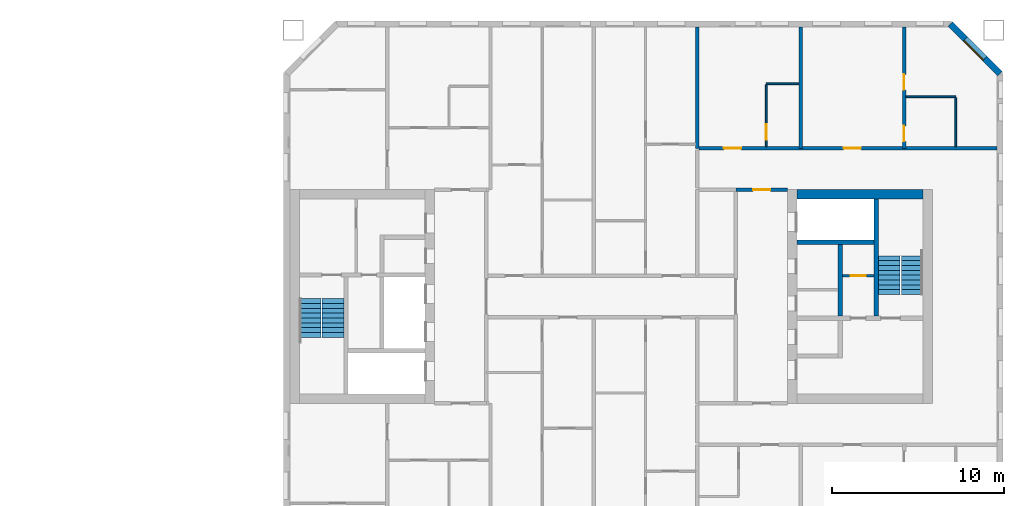
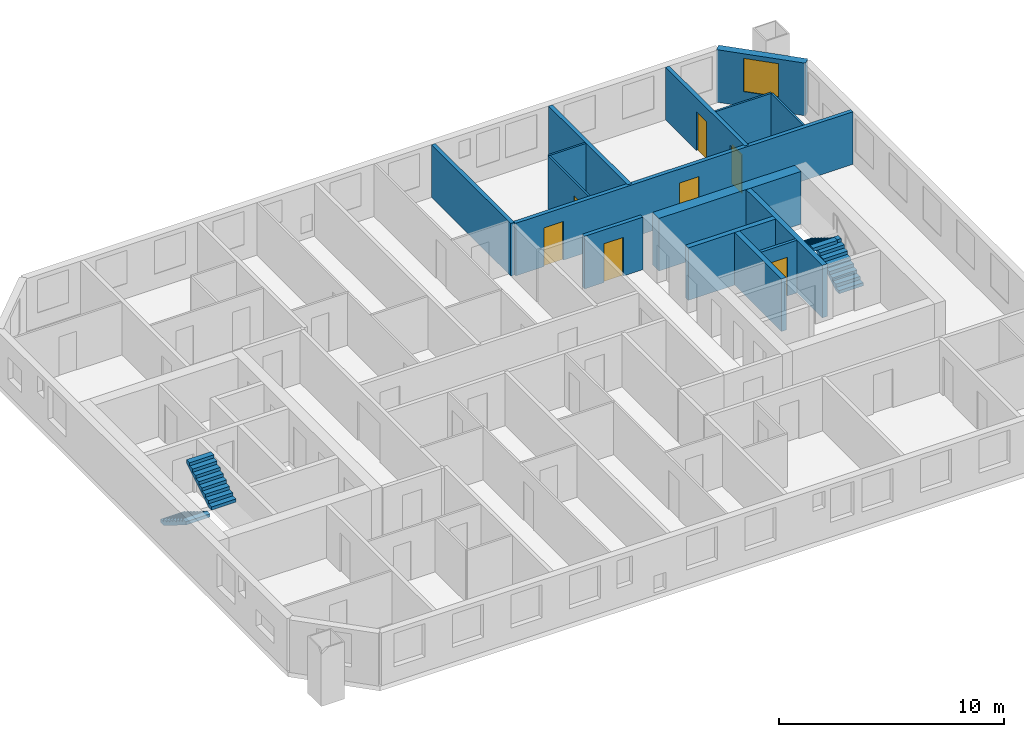
# One storey, part 14 of 16: 15 walls, 7 doors, 4 stair flights, 1 window, 8 openings, 2 elements without a shape of their own.
"""IFC4 building model written with IfcOpenShell, lengths in metres."""

from ifc_helpers import new_model, si_unit, direction, frame, frame_2d, origin, place, context, subcontext, project, spatial, polyline, rectangle, outline, extrude, material, layer, layer_set, type_object, element, fill, aggregate, save


model = new_model("IFC4")

# Units and contexts
model_context = context("Model", 3, precision=1e-05, world=origin(), true_north=direction((0.0, 1.0)))
body_context = subcontext(model_context, "Body", "Model", "MODEL_VIEW")
ifc_project = project(units=[si_unit("LENGTHUNIT", "METRE"), si_unit("AREAUNIT", "SQUARE_METRE"), si_unit("VOLUMEUNIT", "CUBIC_METRE"), si_unit("PLANEANGLEUNIT", "RADIAN"), si_unit("MASSUNIT", "GRAM", prefix="KILO")], contexts=[model_context])

# Site, building, storey
site_placement = place(None, origin())
site = spatial("IfcSite", under=ifc_project, at=site_placement, CompositionType="ELEMENT")
building_placement = place(site_placement, origin())
building = spatial("IfcBuilding", under=site, at=building_placement, Name="Tuart Gate Housing", CompositionType="ELEMENT")
storey_placement = place(building_placement, frame((0.0, 0.0, 136.10009765625)))
storey = spatial("IfcBuildingStorey", under=building, at=storey_placement, Name="L38", CompositionType="ELEMENT", Elevation=136.10009765625)

# Wall, opening, window
ifc_material_1 = material(Name="Brick", Category="masonry")
ifc_layer_1 = layer(ifc_material_1, 0.360107421875)
ifc_layer_set_1 = layer_set([ifc_layer_1], Name="Brick pier and spandrel wall 360")
wall_type_1 = type_object("IfcWallType", Name="Brick pier and spandrel wall 360", PredefinedType="STANDARD", material=ifc_layer_set_1)
wall_1_placement = place(storey_placement, frame((172.570068359375, 82.92529296875, 0.0), z_axis=(0.0, 0.0, 1.0), x_axis=(-0.707106781187, 0.707106781187, 0.0)))
wall_1 = element("IfcWall", 1, at=wall_1_placement, inside=storey, type_object=wall_type_1, Name="External wall B-NE L38", PredefinedType="STANDARD", context=body_context, shape_type="SweptSolid", body=[
    extrude(rectangle(XDim=4.09375, YDim=0.360107421875, at=frame_2d((2.046875, 0.0))), origin(), (0.0, 0.0, 1.0), 2.849853515625),
])
opening_1_placement = place(wall_1_placement, frame((1.2470703125, 0.0, 0.800048828125)))
opening_1 = element("IfcOpeningElement", 2, at=opening_1_placement, cuts=wall_1, Name="Opening W1", PredefinedType="OPENING", context=body_context, shape_type="SweptSolid", body=[
    extrude(rectangle(XDim=1.60009765625, YDim=1.800048828125, at=frame_2d((0.800048828125, 0.89990234375))), frame((0.0, 0.18994140625, 0.0), z_axis=(0.0, -1.0, 0.0), x_axis=(1.0, 0.0, 0.0)), (0.0, 0.0, 1.0), 0.380126953125),
])
ifc_material_2 = material(Name="Aluminium frame with clear glass", Category="aluminium")
window_type = type_object("IfcWindowType", Name="Punched window 1600 x 1800", PartitioningType="SINGLE_PANEL", PredefinedType="WINDOW", material=ifc_material_2)
window_placement = place(opening_1_placement, origin())
window = element("IfcWindow", 3, at=window_placement, inside=storey, type_object=window_type, Name="Window W1", OverallHeight=1.800048828125, OverallWidth=1.60009765625, PartitioningType="SINGLE_PANEL", PredefinedType="WINDOW", context=body_context, shape_type="SweptSolid", body=[
    extrude(rectangle(XDim=1.60009765625, YDim=1.800048828125, at=frame_2d((0.800048828125, 0.89990234375))), frame((0.0, 0.150146484375, 0.0), z_axis=(0.0, -1.0, 0.0), x_axis=(1.0, 0.0, 0.0)), (0.0, 0.0, 1.0), 0.06005859375),
])
fill(opening_1, window)

# Wall, opening, door
ifc_material_3 = material(Name="Plasterboard partition")
ifc_layer_2 = layer(ifc_material_3, 0.14990234375)
ifc_layer_set_2 = layer_set([ifc_layer_2], Name="Core partition 150")
wall_type_2 = type_object("IfcWallType", Name="Core partition 150", PredefinedType="PARTITIONING", material=ifc_layer_set_2)
wall_2_placement = place(storey_placement, frame((163.4150390625, 71.199951171875, 0.0), z_axis=(0.0, 0.0, 1.0), x_axis=(1.0, 0.0, 0.0)))
wall_2 = element("IfcWall", 4, at=wall_2_placement, inside=storey, type_object=wall_type_2, Name="Core partition BK.2", PredefinedType="PARTITIONING", context=body_context, shape_type="SweptSolid", body=[
    extrude(rectangle(XDim=1.849853515625, YDim=0.14990234375, at=frame_2d((0.9248046875, 0.0))), origin(), (0.0, 0.0, 1.0), 2.849853515625),
])
opening_2_placement = place(wall_2_placement, frame((0.5, 0.0, 0.0)))
opening_2 = element("IfcOpeningElement", 5, at=opening_2_placement, cuts=wall_2, Name="Opening D1486", PredefinedType="OPENING", context=body_context, shape_type="SweptSolid", body=[
    extrude(rectangle(XDim=0.85009765625, YDim=2.10009765625, at=frame_2d((0.425048828125, 1.050048828125))), frame((0.0, 0.0849609375, 0.0), z_axis=(0.0, -1.0, 0.0), x_axis=(1.0, 0.0, 0.0)), (0.0, 0.0, 1.0), 0.169921875),
])
ifc_material_4 = material(Name="Steel fire door", Category="steel")
door_type_1 = type_object("IfcDoorType", Name="Service door 850 x 2100 RH", OperationType="SINGLE_SWING_RIGHT", PredefinedType="DOOR", material=ifc_material_4)
door_1_placement = place(opening_2_placement, frame((0.85009765625, 0.0, 0.0), z_axis=(0.0, 0.0, 1.0), x_axis=(-1.0, 0.0, 0.0)))
door_1 = element("IfcDoor", 6, at=door_1_placement, inside=storey, type_object=door_type_1, Name="Service room door BK.W2", OperationType="SINGLE_SWING_RIGHT", OverallHeight=2.10009765625, OverallWidth=0.85009765625, PredefinedType="DOOR", context=body_context, shape_type="SweptSolid", body=[
    extrude(rectangle(XDim=0.85009765625, YDim=2.10009765625, at=frame_2d((0.425048828125, 1.050048828125))), frame((0.0, 0.025146484375, 0.0), z_axis=(0.0, -1.0, 0.0), x_axis=(1.0, 0.0, 0.0)), (0.0, 0.0, 1.0), 0.050048828125),
])
fill(opening_2, door_1)

# Walls
ifc_material_5 = material(Name="Concrete C50", Category="concrete")
ifc_layer_3 = layer(ifc_material_5, 0.25)
ifc_layer_set_3 = layer_set([ifc_layer_3], Name="Core wall 250 C50")
wall_type_3 = type_object("IfcWallType", Name="Core wall 250 C50", PredefinedType="SHEAR", material=ifc_layer_set_3)
wall_3_placement = place(storey_placement, frame((160.7900390625, 73.14990234375, 0.0), z_axis=(0.0, 0.0, 1.0), x_axis=(1.0, 0.0, 0.0)))
element("IfcWall", 7, at=wall_3_placement, inside=storey, type_object=wall_type_3, Name="Core wall BK.1", PredefinedType="SHEAR", context=body_context, shape_type="SweptSolid", body=[
    extrude(rectangle(XDim=4.474853515625, YDim=0.25, at=frame_2d((2.2373046875, 0.0))), origin(), (0.0, 0.0, 1.0), 2.849853515625),
])
wall_4_placement = place(storey_placement, frame((163.2900390625, 73.02490234375, 0.0), z_axis=(0.0, 0.0, 1.0), x_axis=(0.0, -1.0, 0.0)))
element("IfcWall", 8, at=wall_4_placement, inside=storey, type_object=wall_type_3, Name="Core wall BK.6", PredefinedType="SHEAR", context=body_context, shape_type="SweptSolid", body=[
    extrude(rectangle(XDim=4.14990234375, YDim=0.25, at=frame_2d((2.074951171875, 0.0))), origin(), (0.0, 0.0, 1.0), 2.849853515625),
])
wall_5_placement = place(storey_placement, frame((165.389892578125, 75.64990234375, 0.0), z_axis=(0.0, 0.0, 1.0), x_axis=(0.0, -1.0, 0.0)))
element("IfcWall", 9, at=wall_5_placement, inside=storey, type_object=wall_type_3, Name="Core wall BK.8", PredefinedType="SHEAR", context=body_context, shape_type="SweptSolid", body=[
    extrude(rectangle(XDim=6.77490234375, YDim=0.25, at=frame_2d((3.387451171875, 0.0))), origin(), (0.0, 0.0, 1.0), 2.849853515625),
])
ifc_material_6 = material(Name="Concrete C50", Category="concrete")
ifc_layer_4 = layer(ifc_material_6, 0.550048828125)
ifc_layer_set_4 = layer_set([ifc_layer_4], Name="Core wall 550 C50")
wall_type_4 = type_object("IfcWallType", Name="Core wall 550 C50", PredefinedType="SHEAR", material=ifc_layer_set_4)
wall_6_placement = place(storey_placement, frame((160.7900390625, 75.925048828125, 0.0), z_axis=(0.0, 0.0, 1.0), x_axis=(1.0, 0.0, 0.0)))
element("IfcWall", 10, at=wall_6_placement, inside=storey, type_object=wall_type_4, Name="Core wall BK south", PredefinedType="SHEAR", context=body_context, shape_type="SweptSolid", body=[
    extrude(rectangle(XDim=7.300048828125, YDim=0.550048828125, at=frame_2d((3.64990234375, 0.0))), origin(), (0.0, 0.0, 1.0), 2.849853515625),
])

# Wall, openings, doors
ifc_material_7 = material(Name="Concrete masonry 15 MPa", Category="masonry")
ifc_layer_5 = layer(ifc_material_7, 0.199951171875)
ifc_layer_set_5 = layer_set([ifc_layer_5], Name="Corridor wall masonry 200")
wall_type_5 = type_object("IfcWallType", Name="Corridor wall masonry 200", PredefinedType="PARTITIONING", material=ifc_layer_set_5)
wall_7_placement = place(storey_placement, frame((155.10009765625, 78.60009765625, 0.0), z_axis=(0.0, 0.0, 1.0), x_axis=(1.0, 0.0, 0.0)))
wall_7 = element("IfcWall", 11, at=wall_7_placement, inside=storey, type_object=wall_type_5, Name="Corridor wall masonry 200", PredefinedType="PARTITIONING", context=body_context, shape_type="SweptSolid", body=[
    extrude(rectangle(XDim=17.289794921875, YDim=0.199951171875, at=frame_2d((8.64501953125, 0.0))), origin(), (0.0, 0.0, 1.0), 2.849853515625),
])
opening_3_placement = place(wall_7_placement, frame((1.449951171875, 0.0, 0.0)))
opening_3 = element("IfcOpeningElement", 12, at=opening_3_placement, cuts=wall_7, Name="Opening D1472", PredefinedType="OPENING", context=body_context, shape_type="SweptSolid", body=[
    extrude(rectangle(XDim=1.0, YDim=2.10009765625, at=frame_2d((0.5, 1.050048828125))), frame((0.0, 0.10986328125, 0.0), z_axis=(0.0, -1.0, 0.0), x_axis=(1.0, 0.0, 0.0)), (0.0, 0.0, 1.0), 0.219970703125),
])
opening_4_placement = place(wall_7_placement, frame((8.39990234375, 0.0, 0.0)))
opening_4 = element("IfcOpeningElement", 13, at=opening_4_placement, cuts=wall_7, Name="Opening D1473", PredefinedType="OPENING", context=body_context, shape_type="SweptSolid", body=[
    extrude(rectangle(XDim=1.0, YDim=2.10009765625, at=frame_2d((0.5, 1.050048828125))), frame((0.0, 0.10986328125, 0.0), z_axis=(0.0, -1.0, 0.0), x_axis=(1.0, 0.0, 0.0)), (0.0, 0.0, 1.0), 0.219970703125),
])
ifc_material_8 = material(Name="Timber door leaf in steel frame", Category="steel")
door_type_2 = type_object("IfcDoorType", Name="Flat entrance door 1000", OperationType="SINGLE_SWING_LEFT", PredefinedType="DOOR", material=ifc_material_8)
door_2_placement = place(opening_4_placement, origin())
door_2 = element("IfcDoor", 14, at=door_2_placement, inside=storey, type_object=door_type_2, Name="Flat entrance door", OperationType="SINGLE_SWING_LEFT", OverallHeight=2.10009765625, OverallWidth=1.0, PredefinedType="DOOR", context=body_context, shape_type="SweptSolid", body=[
    extrude(rectangle(XDim=1.0, YDim=2.10009765625, at=frame_2d((0.5, 1.050048828125))), frame((0.0, 0.02490234375, 0.0), z_axis=(0.0, -1.0, 0.0), x_axis=(1.0, 0.0, 0.0)), (0.0, 0.0, 1.0), 0.050048828125),
])
fill(opening_4, door_2)
ifc_material_9 = material(Name="Timber door leaf in steel frame", Category="steel")
door_type_3 = type_object("IfcDoorType", Name="Flat entrance door 1000 RH", OperationType="SINGLE_SWING_RIGHT", PredefinedType="DOOR", material=ifc_material_9)
door_3_placement = place(opening_3_placement, origin())
door_3 = element("IfcDoor", 15, at=door_3_placement, inside=storey, type_object=door_type_3, Name="Flat entrance door", OperationType="SINGLE_SWING_RIGHT", OverallHeight=2.10009765625, OverallWidth=1.0, PredefinedType="DOOR", context=body_context, shape_type="SweptSolid", body=[
    extrude(rectangle(XDim=1.0, YDim=2.10009765625, at=frame_2d((0.5, 1.050048828125))), frame((0.0, 0.02490234375, 0.0), z_axis=(0.0, -1.0, 0.0), x_axis=(1.0, 0.0, 0.0)), (0.0, 0.0, 1.0), 0.050048828125),
])
fill(opening_3, door_3)

# Wall, opening, door
ifc_material_10 = material(Name="Concrete masonry 15 MPa", Category="masonry")
ifc_layer_6 = layer(ifc_material_10, 0.199951171875)
ifc_layer_set_6 = layer_set([ifc_layer_6], Name="Enclosure wall masonry 200")
wall_type_6 = type_object("IfcWallType", Name="Enclosure wall masonry 200", PredefinedType="PARTITIONING", material=ifc_layer_set_6)
wall_8_placement = place(storey_placement, frame((157.239990234375, 76.199951171875, 0.0), z_axis=(0.0, 0.0, 1.0), x_axis=(1.0, 0.0, 0.0)))
wall_8 = element("IfcWall", 16, at=wall_8_placement, inside=storey, type_object=wall_type_6, Name="Enclosure wall masonry 200", PredefinedType="PARTITIONING", context=body_context, shape_type="SweptSolid", body=[
    extrude(rectangle(XDim=3.0, YDim=0.199951171875, at=frame_2d((1.5, 0.0))), origin(), (0.0, 0.0, 1.0), 2.849853515625),
])
opening_5_placement = place(wall_8_placement, frame((1.0, 0.0, 0.0)))
opening_5 = element("IfcOpeningElement", 17, at=opening_5_placement, cuts=wall_8, Name="Opening D1480", PredefinedType="OPENING", context=body_context, shape_type="SweptSolid", body=[
    extrude(rectangle(XDim=1.0, YDim=2.10009765625, at=frame_2d((0.5, 1.050048828125))), frame((0.0, 0.10986328125, 0.0), z_axis=(0.0, -1.0, 0.0), x_axis=(1.0, 0.0, 0.0)), (0.0, 0.0, 1.0), 0.219970703125),
])
ifc_material_11 = material(Name="Timber door leaf in steel frame", Category="steel")
door_type_4 = type_object("IfcDoorType", Name="Fire door 1000", OperationType="SINGLE_SWING_LEFT", PredefinedType="DOOR", material=ifc_material_11)
door_4_placement = place(opening_5_placement, origin())
door_4 = element("IfcDoor", 18, at=door_4_placement, inside=storey, type_object=door_type_4, Name="Fire door", OperationType="SINGLE_SWING_LEFT", OverallHeight=2.10009765625, OverallWidth=1.0, PredefinedType="DOOR", context=body_context, shape_type="SweptSolid", body=[
    extrude(rectangle(XDim=1.0, YDim=2.10009765625, at=frame_2d((0.5, 1.050048828125))), frame((0.0, 0.02490234375, 0.0), z_axis=(0.0, -1.0, 0.0), x_axis=(1.0, 0.0, 0.0)), (0.0, 0.0, 1.0), 0.050048828125),
])
fill(opening_5, door_4)

# Walls
ifc_material_12 = material(Name="Gypsum board on steel studs", Category="steel")
ifc_layer_7 = layer(ifc_material_12, 0.10009765625)
ifc_layer_set_7 = layer_set([ifc_layer_7], Name="Partition 100")
wall_type_7 = type_object("IfcWallType", Name="Partition 100", PredefinedType="PARTITIONING", material=ifc_layer_set_7)
wall_9_placement = place(storey_placement, frame((167.10009765625, 81.60009765625, 0.0), z_axis=(0.0, 0.0, 1.0), x_axis=(1.0, 0.0, 0.0)))
element("IfcWall", 19, at=wall_9_placement, inside=storey, type_object=wall_type_7, Name="Partition 100", PredefinedType="PARTITIONING", context=body_context, shape_type="SweptSolid", body=[
    extrude(rectangle(XDim=2.89990234375, YDim=0.10009765625, at=frame_2d((1.449951171875, 0.0))), origin(), (0.0, 0.0, 1.0), 2.849853515625),
])
wall_10_placement = place(storey_placement, frame((159.0, 82.35009765625, 0.0), z_axis=(0.0, 0.0, 1.0), x_axis=(1.0, 0.0, 0.0)))
element("IfcWall", 20, at=wall_10_placement, inside=storey, type_object=wall_type_7, Name="Partition 100", PredefinedType="PARTITIONING", context=body_context, shape_type="SweptSolid", body=[
    extrude(rectangle(XDim=1.89990234375, YDim=0.10009765625, at=frame_2d((0.949951171875, 0.0))), origin(), (0.0, 0.0, 1.0), 2.849853515625),
])

# Wall, opening, door
wall_11_placement = place(storey_placement, frame((159.0, 78.699951171875, 0.0), z_axis=(0.0, 0.0, 1.0), x_axis=(0.0, 1.0, 0.0)))
wall_11 = element("IfcWall", 21, at=wall_11_placement, inside=storey, type_object=wall_type_7, Name="Partition 100", PredefinedType="PARTITIONING", context=body_context, shape_type="SweptSolid", body=[
    extrude(rectangle(XDim=3.60009765625, YDim=0.10009765625, at=frame_2d((1.800048828125, 0.0))), origin(), (0.0, 0.0, 1.0), 2.849853515625),
])
opening_6_placement = place(wall_11_placement, frame((0.39990234375, 0.0, 0.0)))
opening_6 = element("IfcOpeningElement", 22, at=opening_6_placement, cuts=wall_11, Name="Opening D1468", PredefinedType="OPENING", context=body_context, shape_type="SweptSolid", body=[
    extrude(rectangle(XDim=0.89990234375, YDim=2.10009765625, at=frame_2d((0.449951171875, 1.050048828125))), frame((0.0, 0.06005859375, 0.0), z_axis=(0.0, -1.0, 0.0), x_axis=(1.0, 0.0, 0.0)), (0.0, 0.0, 1.0), 0.1201171875),
])
ifc_material_13 = material(Name="Timber door leaf in steel frame", Category="steel")
door_type_5 = type_object("IfcDoorType", Name="Bathroom door 900 RH", OperationType="SINGLE_SWING_RIGHT", PredefinedType="DOOR", material=ifc_material_13)
door_5_placement = place(opening_6_placement, frame((0.89990234375, 0.0, 0.0), z_axis=(0.0, 0.0, 1.0), x_axis=(-1.0, 0.0, 0.0)))
door_5 = element("IfcDoor", 23, at=door_5_placement, inside=storey, type_object=door_type_5, Name="Bathroom door", OperationType="SINGLE_SWING_RIGHT", OverallHeight=2.10009765625, OverallWidth=0.89990234375, PredefinedType="DOOR", context=body_context, shape_type="SweptSolid", body=[
    extrude(rectangle(XDim=0.89990234375, YDim=2.10009765625, at=frame_2d((0.449951171875, 1.050048828125))), frame((0.0, 0.025146484375, 0.0), z_axis=(0.0, -1.0, 0.0), x_axis=(1.0, 0.0, 0.0)), (0.0, 0.0, 1.0), 0.050048828125),
])
fill(opening_6, door_5)

# Walls
wall_12_placement = place(storey_placement, frame((170.0, 78.699951171875, 0.0), z_axis=(0.0, 0.0, 1.0), x_axis=(0.0, 1.0, 0.0)))
element("IfcWall", 24, at=wall_12_placement, inside=storey, type_object=wall_type_7, Name="Partition 100", PredefinedType="PARTITIONING", context=body_context, shape_type="SweptSolid", body=[
    extrude(rectangle(XDim=2.85009765625, YDim=0.10009765625, at=frame_2d((1.425048828125, 0.0))), origin(), (0.0, 0.0, 1.0), 2.849853515625),
])
ifc_material_14 = material(Name="Concrete C40", Category="concrete")
ifc_layer_8 = layer(ifc_material_14, 0.199951171875)
ifc_layer_set_8 = layer_set([ifc_layer_8], Name="Party wall concrete C40 200")
wall_type_8 = type_object("IfcWallType", Name="Party wall concrete C40 200", PredefinedType="SOLIDWALL", material=ifc_layer_set_8)
for number, where, z_axis, x_axis, name in (
    (25, (155.0, 78.60009765625, 0.0), (0.0, 0.0, 1.0), (0.0, 1.0, 0.0), "Party wall concrete C40 200"),
    (26, (161.0, 78.60009765625, 0.0), (0.0, 0.0, 1.0), (0.0, 1.0, 0.0), "Party wall concrete C40 200"),
):
    element("IfcWall", number, at=place(storey_placement, frame(where, z_axis=z_axis, x_axis=x_axis)), inside=storey, type_object=wall_type_8, Name=name, PredefinedType="SOLIDWALL", context=body_context, shape_type="SweptSolid", body=[
        extrude(rectangle(XDim=7.039794921875, YDim=0.199951171875, at=frame_2d((3.52001953125, 0.0))), origin(), (0.0, 0.0, 1.0), 2.849853515625),
    ])

# Wall, openings, doors
wall_13_placement = place(storey_placement, frame((167.0, 78.60009765625, 0.0), z_axis=(0.0, 0.0, 1.0), x_axis=(0.0, 1.0, 0.0)))
wall_13 = element("IfcWall", 27, at=wall_13_placement, inside=storey, type_object=wall_type_8, Name="Party wall concrete C40 200", PredefinedType="SOLIDWALL", context=body_context, shape_type="SweptSolid", body=[
    extrude(rectangle(XDim=7.039794921875, YDim=0.199951171875, at=frame_2d((3.52001953125, 0.0))), origin(), (0.0, 0.0, 1.0), 2.849853515625),
])
opening_7_placement = place(wall_13_placement, frame((3.39990234375, 0.0, 0.0)))
opening_7 = element("IfcOpeningElement", 28, at=opening_7_placement, cuts=wall_13, Name="Opening D1465", PredefinedType="OPENING", context=body_context, shape_type="SweptSolid", body=[
    extrude(rectangle(XDim=0.89990234375, YDim=2.10009765625, at=frame_2d((0.449951171875, 1.050048828125))), frame((0.0, 0.10986328125, 0.0), z_axis=(0.0, -1.0, 0.0), x_axis=(1.0, 0.0, 0.0)), (0.0, 0.0, 1.0), 0.219970703125),
])
opening_8_placement = place(wall_13_placement, frame((0.39990234375, 0.0, 0.0)))
opening_8 = element("IfcOpeningElement", 29, at=opening_8_placement, cuts=wall_13, Name="Opening D1464", PredefinedType="OPENING", context=body_context, shape_type="SweptSolid", body=[
    extrude(rectangle(XDim=0.89990234375, YDim=2.10009765625, at=frame_2d((0.449951171875, 1.050048828125))), frame((0.0, 0.10986328125, 0.0), z_axis=(0.0, -1.0, 0.0), x_axis=(1.0, 0.0, 0.0)), (0.0, 0.0, 1.0), 0.219970703125),
])
door_6_placement = place(opening_8_placement, frame((0.89990234375, 0.0, 0.0), z_axis=(0.0, 0.0, 1.0), x_axis=(-1.0, 0.0, 0.0)))
door_6 = element("IfcDoor", 30, at=door_6_placement, inside=storey, type_object=door_type_5, Name="Bathroom door", OperationType="SINGLE_SWING_RIGHT", OverallHeight=2.10009765625, OverallWidth=0.89990234375, PredefinedType="DOOR", context=body_context, shape_type="SweptSolid", body=[
    extrude(rectangle(XDim=0.89990234375, YDim=2.10009765625, at=frame_2d((0.449951171875, 1.050048828125))), frame((0.0, 0.025146484375, 0.0), z_axis=(0.0, -1.0, 0.0), x_axis=(1.0, 0.0, 0.0)), (0.0, 0.0, 1.0), 0.050048828125),
])
fill(opening_8, door_6)
ifc_material_15 = material(Name="Timber door leaf in steel frame", Category="steel")
door_type_6 = type_object("IfcDoorType", Name="Internal door 900 RH", OperationType="SINGLE_SWING_RIGHT", PredefinedType="DOOR", material=ifc_material_15)
door_7_placement = place(opening_7_placement, frame((0.89990234375, 0.0, 0.0), z_axis=(0.0, 0.0, 1.0), x_axis=(-1.0, 0.0, 0.0)))
door_7 = element("IfcDoor", 31, at=door_7_placement, inside=storey, type_object=door_type_6, Name="Internal door", OperationType="SINGLE_SWING_RIGHT", OverallHeight=2.10009765625, OverallWidth=0.89990234375, PredefinedType="DOOR", context=body_context, shape_type="SweptSolid", body=[
    extrude(rectangle(XDim=0.89990234375, YDim=2.10009765625, at=frame_2d((0.449951171875, 1.050048828125))), frame((0.0, 0.025146484375, 0.0), z_axis=(0.0, -1.0, 0.0), x_axis=(1.0, 0.0, 0.0)), (0.0, 0.0, 1.0), 0.050048828125),
])
fill(opening_7, door_7)

# Stair, stair flights
ifc_material_16 = material(Name="Concrete C40", Category="concrete")
stair_type = type_object("IfcStairType", Name="Core stair 1250", PredefinedType="HALF_TURN_STAIR", material=ifc_material_16)
stair_1_placement = place(storey_placement, origin())
stair_1 = element("IfcStair", 32, at=stair_1_placement, inside=storey, type_object=stair_type, Name="Stair SB1", PredefinedType="HALF_TURN_STAIR")
ifc_material_17 = material(Name="Concrete C40", Category="concrete")
stair_flight_type = type_object("IfcStairFlightType", Name="Stair flight 1250, 9 risers 172 x 280", PredefinedType="STRAIGHT", material=ifc_material_17)
stair_flight_1_placement = place(storey_placement, frame((132.534912109375, 69.875, 0.0), z_axis=(0.0, 0.0, 1.0), x_axis=(0.0, -1.0, 0.0)))
stair_flight_1 = element("IfcStairFlight", 33, at=stair_flight_1_placement, type_object=stair_flight_type, Name="SB1 flight 1", NumberOfRisers=9, NumberOfTreads=8, PredefinedType="STRAIGHT", RiserHeight=0.172222222, TreadLength=0.28, context=body_context, shape_type="SweptSolid", body=[
    extrude(outline(polyline([(0.0, 0.0), (0.0, 0.172119140625), (0.280029296875, 0.172119140625), (0.280029296875, 0.344482421875), (0.56005859375, 0.344482421875), (0.56005859375, 0.5166015625), (0.840087890625, 0.5166015625), (0.840087890625, 0.68896484375), (1.1201171875, 0.68896484375), (1.1201171875, 0.861083984375), (1.39990234375, 0.861083984375), (1.39990234375, 1.033447265625), (1.679931640625, 1.033447265625), (1.679931640625, 1.20556640625), (1.9599609375, 1.20556640625), (1.9599609375, 1.377685546875), (2.239990234375, 1.377685546875), (2.239990234375, 1.550048828125), (2.239990234375, 1.201904296875), (0.2861328125, 0.0), (0.0, 0.0)])), frame((0.0, 0.625, 0.0), z_axis=(0.0, -1.0, 0.0), x_axis=(1.0, 0.0, 0.0)), (0.0, 0.0, 1.0), 1.25),
])
stair_flight_2_placement = place(storey_placement, frame((133.860107421875, 67.635009765625, 1.5498046875), z_axis=(0.0, 0.0, 1.0), x_axis=(0.0, 1.0, 0.0)))
stair_flight_2 = element("IfcStairFlight", 34, at=stair_flight_2_placement, type_object=stair_flight_type, Name="SB1 flight 2", NumberOfRisers=9, NumberOfTreads=8, PredefinedType="STRAIGHT", RiserHeight=0.172222222, TreadLength=0.28, context=body_context, shape_type="SweptSolid", body=[
    extrude(outline(polyline([(0.0, 0.0), (0.0, 0.172119140625), (0.280029296875, 0.172119140625), (0.280029296875, 0.344482421875), (0.56005859375, 0.344482421875), (0.56005859375, 0.5166015625), (0.840087890625, 0.5166015625), (0.840087890625, 0.68896484375), (1.1201171875, 0.68896484375), (1.1201171875, 0.861083984375), (1.39990234375, 0.861083984375), (1.39990234375, 1.033447265625), (1.679931640625, 1.033447265625), (1.679931640625, 1.20556640625), (1.9599609375, 1.20556640625), (1.9599609375, 1.377685546875), (2.239990234375, 1.377685546875), (2.239990234375, 1.550048828125), (2.239990234375, 1.201904296875), (0.2861328125, 0.0), (0.0, 0.0)])), frame((0.0, 0.625, 0.0), z_axis=(0.0, -1.0, 0.0), x_axis=(1.0, 0.0, 0.0)), (0.0, 0.0, 1.0), 1.25),
])
aggregate(stair_1, [stair_flight_1, stair_flight_2])

stair_2_placement = place(storey_placement, origin())
stair_2 = element("IfcStair", 35, at=stair_2_placement, inside=storey, type_object=stair_type, Name="Stair SB2", PredefinedType="HALF_TURN_STAIR")
stair_flight_3_placement = place(storey_placement, frame((167.465087890625, 70.125, 0.0), z_axis=(0.0, 0.0, 1.0), x_axis=(0.0, 1.0, 0.0)))
stair_flight_3 = element("IfcStairFlight", 36, at=stair_flight_3_placement, type_object=stair_flight_type, Name="SB2 flight 1", NumberOfRisers=9, NumberOfTreads=8, PredefinedType="STRAIGHT", RiserHeight=0.172222222, TreadLength=0.28, context=body_context, shape_type="SweptSolid", body=[
    extrude(outline(polyline([(0.0, 0.0), (0.0, 0.172119140625), (0.280029296875, 0.172119140625), (0.280029296875, 0.344482421875), (0.56005859375, 0.344482421875), (0.56005859375, 0.5166015625), (0.840087890625, 0.5166015625), (0.840087890625, 0.68896484375), (1.1201171875, 0.68896484375), (1.1201171875, 0.861083984375), (1.39990234375, 0.861083984375), (1.39990234375, 1.033447265625), (1.679931640625, 1.033447265625), (1.679931640625, 1.20556640625), (1.9599609375, 1.20556640625), (1.9599609375, 1.377685546875), (2.239990234375, 1.377685546875), (2.239990234375, 1.550048828125), (2.239990234375, 1.201904296875), (0.2861328125, 0.0), (0.0, 0.0)])), frame((0.0, 0.625, 0.0), z_axis=(0.0, -1.0, 0.0), x_axis=(1.0, 0.0, 0.0)), (0.0, 0.0, 1.0), 1.25),
])
stair_flight_4_placement = place(storey_placement, frame((166.139892578125, 72.364990234375, 1.5498046875), z_axis=(0.0, 0.0, 1.0), x_axis=(0.0, -1.0, 0.0)))
stair_flight_4 = element("IfcStairFlight", 37, at=stair_flight_4_placement, type_object=stair_flight_type, Name="SB2 flight 2", NumberOfRisers=9, NumberOfTreads=8, PredefinedType="STRAIGHT", RiserHeight=0.172222222, TreadLength=0.28, context=body_context, shape_type="SweptSolid", body=[
    extrude(outline(polyline([(0.0, 0.0), (0.0, 0.172119140625), (0.280029296875, 0.172119140625), (0.280029296875, 0.344482421875), (0.56005859375, 0.344482421875), (0.56005859375, 0.5166015625), (0.840087890625, 0.5166015625), (0.840087890625, 0.68896484375), (1.1201171875, 0.68896484375), (1.1201171875, 0.861083984375), (1.39990234375, 0.861083984375), (1.39990234375, 1.033447265625), (1.679931640625, 1.033447265625), (1.679931640625, 1.20556640625), (1.9599609375, 1.20556640625), (1.9599609375, 1.377685546875), (2.239990234375, 1.377685546875), (2.239990234375, 1.550048828125), (2.239990234375, 1.201904296875), (0.2861328125, 0.0), (0.0, 0.0)])), frame((0.0, 0.625, 0.0), z_axis=(0.0, -1.0, 0.0), x_axis=(1.0, 0.0, 0.0)), (0.0, 0.0, 1.0), 1.25),
])
aggregate(stair_2, [stair_flight_3, stair_flight_4])

save(model, "model.ifc")
